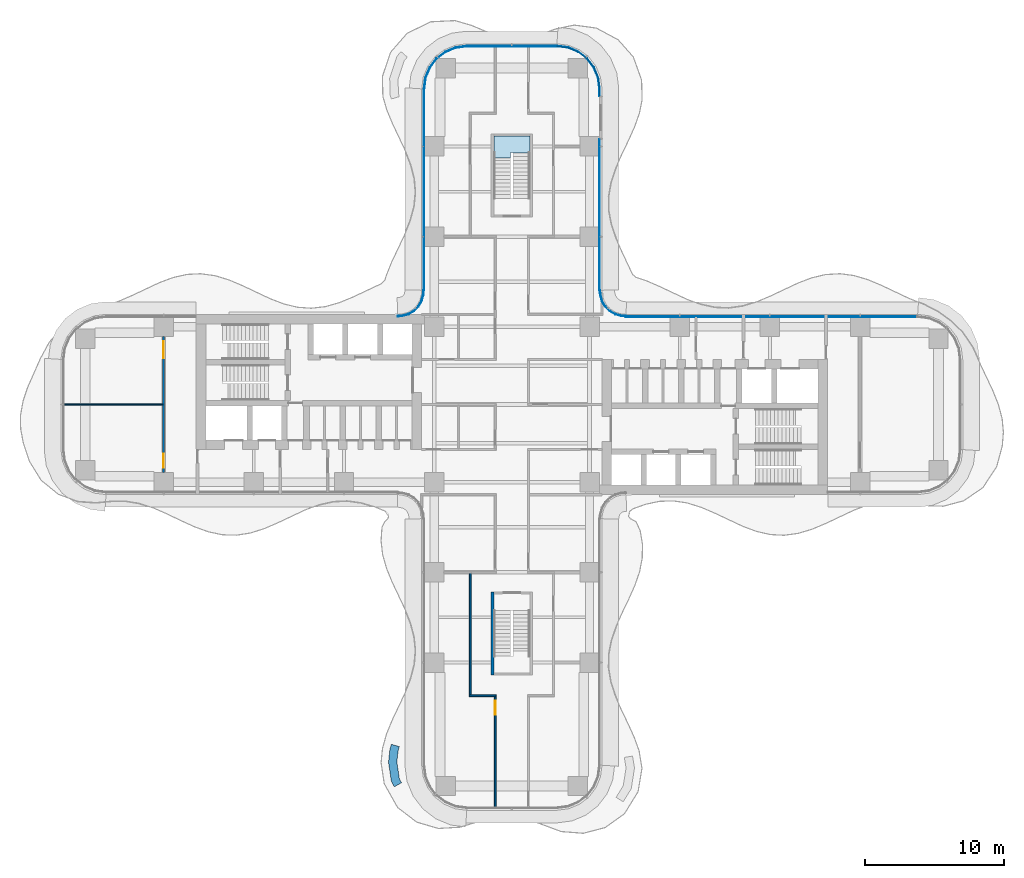
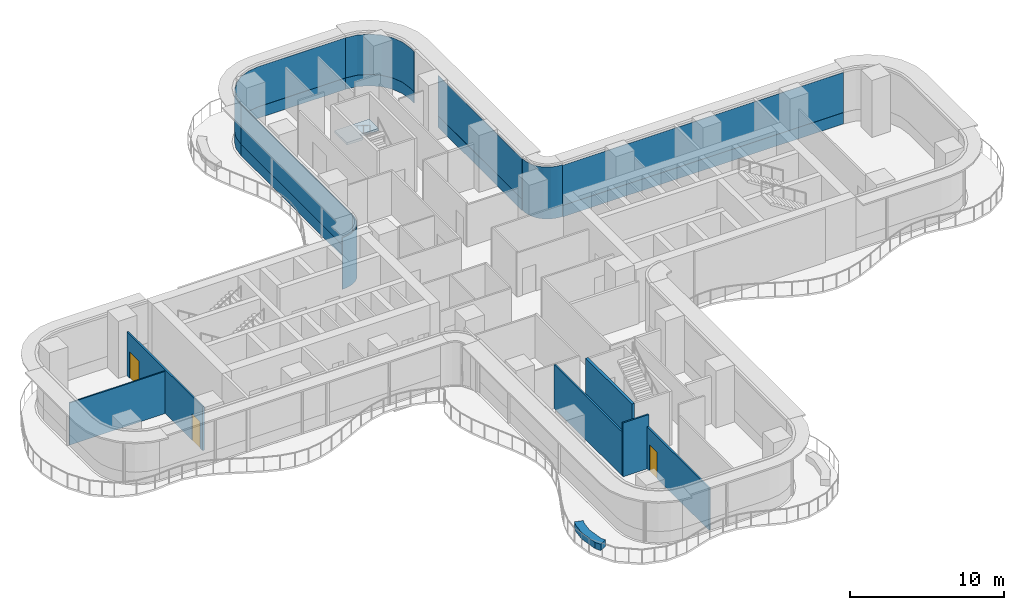
# One storey, part 16 of 23: 12 plates, 7 walls, 3 doors, 1 slab, 3 openings, 8 elements without a shape of their own.
"""IFC4 building model written with IfcOpenShell, lengths in metres."""

import ifcopenshell
import ifcopenshell.guid

model = None  # the IFC model being written
_history = None  # IfcOwnerHistory: only IFC2X3 demands one
_inside = {}  # id of a spatial element -> (the spatial element, [elements in it])
_under = {}  # id of a project, library or spatial element -> (it, [spatial elements below it])
_declared = {}  # id of a project -> (the project, [libraries it declares])
_typed = {}  # id of a type object -> (the type object, [elements of that type])
_made_of = {}  # id of a material, layer set ... -> (it, [elements and type objects made of it])


def new_model(schema):
    """Start an empty IFC model of exactly this schema.

    Asked for "IFC4X3", IfcOpenShell would pick the latest addendum, in which some entities
    have other attributes; the version numbers below select the first issue.
    IFC2X3 requires an IfcOwnerHistory on every rooted entity: one is made here for all.
    """
    global model, _history
    if schema == "IFC4X3":
        model = ifcopenshell.file(schema_version=(4, 3, 0, 0))
    else:
        model = ifcopenshell.file(schema=schema)
    _inside.clear()
    _under.clear()
    _declared.clear()
    _typed.clear()
    _made_of.clear()
    _history = None
    if model.schema == "IFC2X3":
        org = make("IfcOrganization", Name="unknown")
        user = make(
            "IfcPersonAndOrganization",
            ThePerson=make("IfcPerson", FamilyName="unknown"),
            TheOrganization=org,
        )
        app = make(
            "IfcApplication",
            ApplicationDeveloper=org,
            Version="unknown",
            ApplicationFullName="unknown",
            ApplicationIdentifier="unknown",
        )
        _history = make(
            "IfcOwnerHistory",
            OwningUser=user,
            OwningApplication=app,
            ChangeAction="ADDED",
            CreationDate=0,
        )
    return model


def make(cls, **values):
    """One entity of the class cls with the attributes given. An attribute that is None is left unset."""
    return model.create_entity(
        cls, **{name: value for name, value in values.items() if value is not None}
    )


def rooted(cls, **values):
    """An entity with a GlobalId (a new one), such as an element, a storey or a relation."""
    return make(cls, GlobalId=ifcopenshell.guid.new(), OwnerHistory=_history, **values)


def si_unit(unit_type, name, prefix=None):
    """IfcSIUnit, for example si_unit("LENGTHUNIT", "METRE", prefix="MILLI")."""
    return make("IfcSIUnit", UnitType=unit_type, Prefix=prefix, Name=name)


def assignment(units):
    """IfcUnitAssignment: the units of a project."""
    return None if units is None else make("IfcUnitAssignment", Units=units)


def point(xyz):
    """IfcCartesianPoint."""
    return None if xyz is None else make("IfcCartesianPoint", Coordinates=xyz)


def direction(xyz):
    """IfcDirection."""
    return None if xyz is None else make("IfcDirection", DirectionRatios=xyz)


def frame(location, z_axis=None, x_axis=None):
    """IfcAxis2Placement3D, a coordinate frame: its origin and axes. An axis left out is left unset."""
    return make(
        "IfcAxis2Placement3D",
        Location=point(location),
        Axis=direction(z_axis),
        RefDirection=direction(x_axis),
    )


def frame_2d(location, x_axis=None):
    """IfcAxis2Placement2D, a coordinate frame in the plane: its origin and x axis."""
    return make(
        "IfcAxis2Placement2D", Location=point(location), RefDirection=direction(x_axis)
    )


def origin():
    """The frame at (0, 0, 0) with its axes left unset."""
    return frame((0.0, 0.0, 0.0))


def place(relative_to, where):
    """IfcLocalPlacement: puts the frame where relative to a parent placement (None: the world)."""
    return make(
        "IfcLocalPlacement", PlacementRelTo=relative_to, RelativePlacement=where
    )


def context(
    kind, dimensions, precision=None, world=None, true_north=None, identifier=None
):
    """IfcGeometricRepresentationContext, for example the 3D "Model" context."""
    return make(
        "IfcGeometricRepresentationContext",
        ContextIdentifier=identifier,
        ContextType=kind,
        CoordinateSpaceDimension=dimensions,
        Precision=precision,
        WorldCoordinateSystem=world,
        TrueNorth=true_north,
    )


def subcontext(parent, identifier, kind, view, scale=None):
    """IfcGeometricRepresentationSubContext, for example "Body" below "Model"."""
    return make(
        "IfcGeometricRepresentationSubContext",
        ContextIdentifier=identifier,
        ContextType=kind,
        ParentContext=parent,
        TargetScale=scale,
        TargetView=view,
    )


def project(units=None, contexts=None):
    """IfcProject with its units and contexts."""
    return rooted(
        "IfcProject",
        Name="project",
        RepresentationContexts=contexts,
        UnitsInContext=assignment(units),
    )


def spatial(cls, under=None, at=None, **own):
    """A site, building, storey or space (cls), placed at a placement, below another one or the project."""
    s = rooted(cls, ObjectPlacement=at, **own)
    if under is not None:
        _under.setdefault(under.id(), (under, []))[1].append(s)
    return s


def polyline(points):
    """IfcPolyline through the points."""
    return make("IfcPolyline", Points=[point(p) for p in points])


def profile(cls, at=None, kind="AREA", **sizes):
    """A parametric profile (cls). Its sizes go by their IFC names, for example OverallWidth=200.0."""
    return make(cls, ProfileType=kind, Position=at, **sizes)


def rectangle(**sizes):
    """IfcRectangleProfileDef."""
    return profile("IfcRectangleProfileDef", **sizes)


def outline(outer, holes=None, kind="AREA"):
    """IfcArbitraryClosedProfileDef: a profile drawn as a closed curve; with holes, ...WithVoids."""
    if holes is None:
        return make("IfcArbitraryClosedProfileDef", ProfileType=kind, OuterCurve=outer)
    return make(
        "IfcArbitraryProfileDefWithVoids",
        ProfileType=kind,
        OuterCurve=outer,
        InnerCurves=holes,
    )


def extrude(swept, where, along, depth):
    """IfcExtrudedAreaSolid: the profile swept, set in the frame where, extruded along a direction by depth."""
    return make(
        "IfcExtrudedAreaSolid",
        SweptArea=swept,
        Position=where,
        ExtrudedDirection=direction(along),
        Depth=depth,
    )


def shape(context_of_items, identifier, shape_type, items):
    """IfcShapeRepresentation: the items that make up one representation, for example the "Body"."""
    return make(
        "IfcShapeRepresentation",
        ContextOfItems=context_of_items,
        RepresentationIdentifier=identifier,
        RepresentationType=shape_type,
        Items=items,
    )


def source(mapping_origin, context_of_items, identifier, shape_type, items):
    """IfcRepresentationMap: a shape defined once, which mapped items show again and again."""
    return make(
        "IfcRepresentationMap",
        MappingOrigin=mapping_origin,
        MappedRepresentation=shape(context_of_items, identifier, shape_type, items),
    )


def transform(
    local_origin,
    x_axis=None,
    y_axis=None,
    z_axis=None,
    scale=None,
    scale2=None,
    scale3=None,
    uniform=True,
):
    """IfcCartesianTransformationOperator3D, or its non-uniform kind. x_axis, y_axis, z_axis: its Axis1, 2, 3."""
    if uniform:
        return make(
            "IfcCartesianTransformationOperator3D",
            Axis1=direction(x_axis),
            Axis2=direction(y_axis),
            LocalOrigin=point(local_origin),
            Scale=scale,
            Axis3=direction(z_axis),
        )
    return make(
        "IfcCartesianTransformationOperator3DnonUniform",
        Axis1=direction(x_axis),
        Axis2=direction(y_axis),
        LocalOrigin=point(local_origin),
        Scale=scale,
        Axis3=direction(z_axis),
        Scale2=scale2,
        Scale3=scale3,
    )


def mapped(mapping_source, mapping_target):
    """IfcMappedItem: shows the shape of a source again, moved by a transform."""
    return make(
        "IfcMappedItem", MappingSource=mapping_source, MappingTarget=mapping_target
    )


def material(Name=None, Category=None):
    """IfcMaterial."""
    return make("IfcMaterial", Name=Name, Category=Category)


def layer(
    of_material, thickness, ventilated=None, Name=None, Category=None, Priority=None
):
    """IfcMaterialLayer: one layer of a wall or slab, of a material (None: an air gap)."""
    return make(
        "IfcMaterialLayer",
        Material=of_material,
        LayerThickness=thickness,
        IsVentilated=ventilated,
        Name=Name,
        Category=Category,
        Priority=Priority,
    )


def layer_set(layers, Name=None):
    """IfcMaterialLayerSet."""
    return make("IfcMaterialLayerSet", MaterialLayers=layers, LayerSetName=Name)


def made_of(thing, what):
    """Note that an element or type object is made of a material, layer set ...; save() writes the relation."""
    if what is not None:
        _made_of.setdefault(what.id(), (what, []))[1].append(thing)
    return thing


def type_object(cls, material=None, **own):
    """A type object (cls), such as IfcWallType, which elements share."""
    return made_of(rooted(cls, **own), material)


def element(
    cls,
    number,
    at=None,
    inside=None,
    cuts=None,
    type_object=None,
    material=None,
    context=None,
    identifier="Body",
    shape_type=None,
    held_by="IfcProductDefinitionShape",
    body=None,
    shapes=None,
    **own,
):
    """One element of the class cls, such as IfcWall. Its Tag is "e" and its number.

    at: its placement. inside: the storey or other place that contains it. cuts: it is an
    opening in that element (IfcRelVoidsElement). A single representation is given by context,
    identifier, shape_type and body (its items); several are given by shapes. held_by: the class
    of the entity that holds the representations. save() writes the other relations.
    """
    e = rooted(cls, Tag="e%d" % number, ObjectPlacement=at, **own)
    if body is not None:
        shapes = [shape(context, identifier, shape_type, body)]
    if shapes is not None:
        e.Representation = make(held_by, Representations=shapes)
    if inside is not None:
        _inside.setdefault(inside.id(), (inside, []))[1].append(e)
    if cuts is not None:
        rooted(
            "IfcRelVoidsElement", RelatingBuildingElement=cuts, RelatedOpeningElement=e
        )
    if type_object is not None:
        _typed.setdefault(type_object.id(), (type_object, []))[1].append(e)
    return made_of(e, material)


def fill(opening, filler):
    """IfcRelFillsElement: the door or window that sits in an opening."""
    return rooted(
        "IfcRelFillsElement",
        RelatingOpeningElement=opening,
        RelatedBuildingElement=filler,
    )


def aggregate(whole, parts):
    """IfcRelAggregates: a whole, such as a stair, and the parts it consists of."""
    return rooted("IfcRelAggregates", RelatingObject=whole, RelatedObjects=parts)


def save(model, path):
    """Write the relations noted so far, then the file.

    IfcRelAggregates (storeys below a building ...), IfcRelContainedInSpatialStructure (elements
    in a storey), IfcRelDefinesByType, IfcRelAssociatesMaterial and IfcRelDeclares: one each for
    every whole, place, type object, material and project.
    """
    for whole, parts in _under.values():
        aggregate(whole, parts)
    for where, things in _inside.values():
        rooted(
            "IfcRelContainedInSpatialStructure",
            RelatedElements=things,
            RelatingStructure=where,
        )
    for kind, things in _typed.values():
        rooted("IfcRelDefinesByType", RelatedObjects=things, RelatingType=kind)
    for what, things in _made_of.values():
        rooted("IfcRelAssociatesMaterial", RelatedObjects=things, RelatingMaterial=what)
    for by, libraries in _declared.values():
        rooted("IfcRelDeclares", RelatingContext=by, RelatedDefinitions=libraries)
    model.write(path)


model = new_model("IFC4")

# Units and contexts
model_context = context("Model", 3, precision=1e-05, world=origin(), true_north=direction((0.0, 1.0)))
body_context = subcontext(model_context, "Body", "Model", "MODEL_VIEW")
ifc_project = project(units=[si_unit("LENGTHUNIT", "METRE"), si_unit("AREAUNIT", "SQUARE_METRE"), si_unit("VOLUMEUNIT", "CUBIC_METRE"), si_unit("PLANEANGLEUNIT", "RADIAN"), si_unit("MASSUNIT", "GRAM", prefix="KILO")], contexts=[model_context])

# Site, building, storey
site_placement = place(None, origin())
site = spatial("IfcSite", under=ifc_project, at=site_placement, CompositionType="ELEMENT")
building_placement = place(site_placement, origin())
building = spatial("IfcBuilding", under=site, at=building_placement, Name="Trellis Farm Tower", CompositionType="ELEMENT")
storey_placement = place(building_placement, frame((0.0, 0.0, 83.5)))
storey = spatial("IfcBuildingStorey", under=building, at=storey_placement, Name="L17", CompositionType="ELEMENT", Elevation=83.5)

# Stair, slab
ifc_material_1 = material(Name="Concrete C50/60", Category="concrete")
stair_type = type_object("IfcStairType", Name="CORE EXIT STAIR 26 RISERS 173 MM", PredefinedType="HALF_TURN_STAIR", material=ifc_material_1)
placement_1 = place(storey_placement, origin())
stair = element("IfcStair", 1, at=placement_1, inside=storey, type_object=stair_type, Name="Exit stair N", PredefinedType="HALF_TURN_STAIR")
ifc_layer_1 = layer(ifc_material_1, 0.18994140625)
ifc_layer_set_1 = layer_set([ifc_layer_1], Name="CORE STAIR LANDING 190 CONCRETE C50/60")
slab_type = type_object("IfcSlabType", Name="CORE STAIR LANDING 190 CONCRETE C50/60", PredefinedType="LANDING", material=ifc_layer_set_1)
shared_shape_1 = source(origin(), body_context, "Body", "SweptSolid", [
    extrude(outline(polyline([(-0.10009765625, 17.753173828125), (-1.300048828125, 17.753173828125), (-1.300048828125, 18.14990234375), (-1.300048828125, 19.35009765625), (1.300048828125, 19.35009765625), (1.300048828125, 18.14990234375), (1.300048828125, 18.139892578125), (0.10009765625, 18.139892578125), (0.10009765625, 18.14990234375), (-0.10009765625, 18.14990234375), (-0.10009765625, 17.753173828125)])), origin(), (0.0, 0.0, 1.0), 0.18994140625),
])
slab_placement = place(storey_placement, frame((0.0, 0.0, 2.06005859375)))
slab = element("IfcSlab", 2, at=slab_placement, type_object=slab_type, Name="STN landing 1", PredefinedType="LANDING", context=body_context, shape_type="MappedRepresentation", body=[
    mapped(shared_shape_1, transform((0.0, 0.0, 0.0))),
])
aggregate(stair, [slab])

# Curtain wall, plates
ifc_material_2 = material(Name="Aluminium and glass curtain wall", Category="aluminium")
ifc_layer_2 = layer(ifc_material_2, 0.18994140625)
ifc_layer_set_2 = layer_set([ifc_layer_2], Name="RIBBON CURTAIN WALL CW1")
curtain_wall_type_1 = type_object("IfcCurtainWallType", Name="RIBBON CURTAIN WALL CW1", PredefinedType="NOTDEFINED", material=ifc_layer_set_2)
curtain_wall_1 = element("IfcCurtainWall", 3, at=placement_1, inside=storey, type_object=curtain_wall_type_1, Name="CW1 007", PredefinedType="NOTDEFINED")
ifc_material_3 = material(Name="Clear insulated glass", Category="glass")
ifc_layer_3 = layer(ifc_material_3, 0.0400390625)
ifc_layer_set_3 = layer_set([ifc_layer_3], Name="CW1 GLASS PANEL 40")
plate_type_1 = type_object("IfcPlateType", Name="CW1 GLASS PANEL 40", PredefinedType="CURTAIN_PANEL", material=ifc_layer_set_3)
shared_shape_2 = source(origin(), body_context, "Body", "SweptSolid", [
    extrude(outline(polyline([(29.240234375, 6.35009765625), (8.2265625, 6.35009765625), (8.22509765625, 6.31005859375), (29.237548828125, 6.31005859375), (29.240234375, 6.35009765625)])), origin(), (0.0, 0.0, 1.0), 3.170166015625),
])
placement_2 = place(storey_placement, frame((0.0, 0.0, 0.89990234375)))
plate_1 = element("IfcPlate", 4, at=placement_2, type_object=plate_type_1, Name="PL1 007", PredefinedType="CURTAIN_PANEL", context=body_context, shape_type="MappedRepresentation", body=[
    mapped(shared_shape_2, transform((0.0, 0.0, 0.0))),
])
ifc_material_4 = material(Name="Sandstone faced insulated panel", Category="masonry")
ifc_layer_4 = layer(ifc_material_4, 0.050048828125)
ifc_layer_set_4 = layer_set([ifc_layer_4], Name="CW1 STONE SPANDREL PANEL 50")
plate_type_2 = type_object("IfcPlateType", Name="CW1 STONE SPANDREL PANEL 50", PredefinedType="CURTAIN_PANEL", material=ifc_layer_set_4)
shared_shape_3 = source(origin(), body_context, "Body", "SweptSolid", [
    extrude(outline(polyline([(29.240234375, 6.35009765625), (8.2265625, 6.35009765625), (8.224853515625, 6.300048828125), (29.23681640625, 6.300048828125), (29.240234375, 6.35009765625)])), origin(), (0.0, 0.0, 1.0), 0.89990234375),
])
plate_2 = element("IfcPlate", 5, at=placement_1, type_object=plate_type_2, Name="PS1 007", PredefinedType="CURTAIN_PANEL", context=body_context, shape_type="MappedRepresentation", body=[
    mapped(shared_shape_3, transform((0.0, 0.0, 0.0))),
])
aggregate(curtain_wall_1, [plate_1, plate_2])

# Curtain wall, plate
ifc_layer_5 = layer(ifc_material_2, 0.166015625)
ifc_layer_set_5 = layer_set([ifc_layer_5], Name="WINTER GARDEN CURTAIN WALL CW3")
curtain_wall_type_2 = type_object("IfcCurtainWallType", Name="WINTER GARDEN CURTAIN WALL CW3", PredefinedType="NOTDEFINED", material=ifc_layer_set_5)
curtain_wall_2 = element("IfcCurtainWall", 6, at=placement_1, inside=storey, type_object=curtain_wall_type_2, Name="CW3 003", PredefinedType="NOTDEFINED")
ifc_layer_6 = layer(ifc_material_3, 0.0458984375)
ifc_layer_set_6 = layer_set([ifc_layer_6], Name="CW3 GLASS PANEL 46")
plate_type_3 = type_object("IfcPlateType", Name="CW3 GLASS PANEL 46", PredefinedType="CURTAIN_PANEL", material=ifc_layer_set_6)
shared_shape_4 = source(origin(), body_context, "Body", "SweptSolid", [
    extrude(outline(polyline([(8.2275390625, 6.3798828125), (8.0078125, 6.394287109375), (7.89208984375, 6.40966796875), (7.462158203125, 6.52490234375), (7.070556640625, 6.7509765625), (6.7509765625, 7.070556640625), (6.52490234375, 7.462158203125), (6.40966796875, 7.89208984375), (6.394287109375, 8.0078125), (6.3798828125, 8.2275390625), (6.333984375, 8.22607421875), (6.3486328125, 8.003173828125), (6.364501953125, 7.883056640625), (6.48193359375, 7.4443359375), (6.714111328125, 7.04248046875), (7.04248046875, 6.714111328125), (7.4443359375, 6.48193359375), (7.883056640625, 6.364501953125), (8.003173828125, 6.3486328125), (8.22607421875, 6.333984375), (8.2275390625, 6.3798828125)])), origin(), (0.0, 0.0, 1.0), 4.10009765625),
])
plate_3 = element("IfcPlate", 7, at=placement_1, type_object=plate_type_3, Name="PL3 003", PredefinedType="CURTAIN_PANEL", context=body_context, shape_type="MappedRepresentation", body=[
    mapped(shared_shape_4, transform((0.0, 0.0, 0.0))),
])
aggregate(curtain_wall_2, [plate_3])

curtain_wall_3 = element("IfcCurtainWall", 8, at=placement_1, inside=storey, type_object=curtain_wall_type_2, Name="CW3 004", PredefinedType="NOTDEFINED")
shared_shape_5 = source(origin(), body_context, "Body", "SweptSolid", [
    extrude(outline(polyline([(-6.3798828125, 8.2275390625), (-6.394287109375, 8.0078125), (-6.40966796875, 7.89208984375), (-6.52490234375, 7.462158203125), (-6.7509765625, 7.070556640625), (-7.070556640625, 6.7509765625), (-7.462158203125, 6.52490234375), (-7.89208984375, 6.40966796875), (-8.0078125, 6.394287109375), (-8.2275390625, 6.3798828125), (-8.22607421875, 6.333984375), (-8.003173828125, 6.3486328125), (-7.883056640625, 6.364501953125), (-7.4443359375, 6.48193359375), (-7.04248046875, 6.714111328125), (-6.714111328125, 7.04248046875), (-6.48193359375, 7.4443359375), (-6.364501953125, 7.883056640625), (-6.3486328125, 8.003173828125), (-6.333984375, 8.22607421875), (-6.3798828125, 8.2275390625)])), origin(), (0.0, 0.0, 1.0), 4.10009765625),
])
plate_4 = element("IfcPlate", 9, at=placement_1, type_object=plate_type_3, Name="PL3 004", PredefinedType="CURTAIN_PANEL", context=body_context, shape_type="MappedRepresentation", body=[
    mapped(shared_shape_5, transform((0.0, 0.0, 0.0))),
])
aggregate(curtain_wall_3, [plate_4])

# Curtain wall, plates
curtain_wall_4 = element("IfcCurtainWall", 10, at=placement_1, inside=storey, type_object=curtain_wall_type_1, Name="CW1 011", PredefinedType="NOTDEFINED")
shared_shape_6 = source(origin(), body_context, "Body", "SweptSolid", [
    extrude(outline(polyline([(-6.35009765625, 22.740234375), (-6.35009765625, 8.2265625), (-6.31005859375, 8.22509765625), (-6.31005859375, 22.737548828125), (-6.35009765625, 22.740234375)])), origin(), (0.0, 0.0, 1.0), 3.170166015625),
])
plate_5 = element("IfcPlate", 11, at=placement_2, type_object=plate_type_1, Name="PL1 011", PredefinedType="CURTAIN_PANEL", context=body_context, shape_type="MappedRepresentation", body=[
    mapped(shared_shape_6, transform((0.0, 0.0, 0.0))),
])
shared_shape_7 = source(origin(), body_context, "Body", "SweptSolid", [
    extrude(outline(polyline([(-6.35009765625, 22.740234375), (-6.35009765625, 8.2265625), (-6.300048828125, 8.224853515625), (-6.300048828125, 22.73681640625), (-6.35009765625, 22.740234375)])), origin(), (0.0, 0.0, 1.0), 0.89990234375),
])
plate_6 = element("IfcPlate", 12, at=placement_1, type_object=plate_type_2, Name="PS1 011", PredefinedType="CURTAIN_PANEL", context=body_context, shape_type="MappedRepresentation", body=[
    mapped(shared_shape_7, transform((0.0, 0.0, 0.0))),
])
aggregate(curtain_wall_4, [plate_5, plate_6])

curtain_wall_5 = element("IfcCurtainWall", 13, at=placement_1, inside=storey, type_object=curtain_wall_type_1, Name="CW1 010", PredefinedType="NOTDEFINED")
shared_shape_8 = source(origin(), body_context, "Body", "SweptSolid", [
    extrude(outline(polyline([(3.240234375, 25.85009765625), (-3.240234375, 25.85009765625), (-4.052001953125, 25.7431640625), (-4.79931640625, 25.43359375), (-5.441162109375, 24.941162109375), (-5.93359375, 24.29931640625), (-6.2431640625, 23.552001953125), (-6.35009765625, 22.740234375), (-6.31005859375, 22.737548828125), (-6.2041015625, 23.54150390625), (-5.898681640625, 24.279296875), (-5.41259765625, 24.91259765625), (-4.779296875, 25.398681640625), (-4.04150390625, 25.7041015625), (-3.237548828125, 25.81005859375), (3.237548828125, 25.81005859375), (3.240234375, 25.85009765625)])), origin(), (0.0, 0.0, 1.0), 3.170166015625),
])
plate_7 = element("IfcPlate", 14, at=placement_2, type_object=plate_type_1, Name="PL1 010", PredefinedType="CURTAIN_PANEL", context=body_context, shape_type="MappedRepresentation", body=[
    mapped(shared_shape_8, transform((0.0, 0.0, 0.0))),
])
shared_shape_9 = source(origin(), body_context, "Body", "SweptSolid", [
    extrude(outline(polyline([(3.240234375, 25.85009765625), (-3.240234375, 25.85009765625), (-4.052001953125, 25.7431640625), (-4.79931640625, 25.43359375), (-5.441162109375, 24.941162109375), (-5.93359375, 24.29931640625), (-6.2431640625, 23.552001953125), (-6.35009765625, 22.740234375), (-6.300048828125, 22.73681640625), (-6.1943359375, 23.5390625), (-5.889892578125, 24.274169921875), (-5.405517578125, 24.905517578125), (-4.774169921875, 25.389892578125), (-4.0390625, 25.6943359375), (-3.23681640625, 25.800048828125), (3.23681640625, 25.800048828125), (3.240234375, 25.85009765625)])), origin(), (0.0, 0.0, 1.0), 0.89990234375),
])
plate_8 = element("IfcPlate", 15, at=placement_1, type_object=plate_type_2, Name="PS1 010", PredefinedType="CURTAIN_PANEL", context=body_context, shape_type="MappedRepresentation", body=[
    mapped(shared_shape_9, transform((0.0, 0.0, 0.0))),
])
aggregate(curtain_wall_5, [plate_7, plate_8])

curtain_wall_6 = element("IfcCurtainWall", 16, at=placement_1, inside=storey, type_object=curtain_wall_type_1, Name="CW1 008", PredefinedType="NOTDEFINED")
shared_shape_10 = source(origin(), body_context, "Body", "SweptSolid", [
    extrude(outline(polyline([(6.35009765625, 8.2265625), (6.35009765625, 19.114990234375), (6.31005859375, 19.114990234375), (6.31005859375, 8.22509765625), (6.35009765625, 8.2265625)])), origin(), (0.0, 0.0, 1.0), 3.170166015625),
])
plate_9 = element("IfcPlate", 17, at=placement_2, type_object=plate_type_1, Name="PL1 008", PredefinedType="CURTAIN_PANEL", context=body_context, shape_type="MappedRepresentation", body=[
    mapped(shared_shape_10, transform((0.0, 0.0, 0.0))),
])
shared_shape_11 = source(origin(), body_context, "Body", "SweptSolid", [
    extrude(outline(polyline([(6.35009765625, 8.2265625), (6.35009765625, 19.114990234375), (6.300048828125, 19.114990234375), (6.300048828125, 8.224853515625), (6.35009765625, 8.2265625)])), origin(), (0.0, 0.0, 1.0), 0.89990234375),
])
plate_10 = element("IfcPlate", 18, at=placement_1, type_object=plate_type_2, Name="PS1 008", PredefinedType="CURTAIN_PANEL", context=body_context, shape_type="MappedRepresentation", body=[
    mapped(shared_shape_11, transform((0.0, 0.0, 0.0))),
])
aggregate(curtain_wall_6, [plate_9, plate_10])

curtain_wall_7 = element("IfcCurtainWall", 19, at=placement_1, inside=storey, type_object=curtain_wall_type_1, Name="CW1 009", PredefinedType="NOTDEFINED")
shared_shape_12 = source(origin(), body_context, "Body", "SweptSolid", [
    extrude(outline(polyline([(6.35009765625, 22.235107421875), (6.35009765625, 22.740234375), (6.2431640625, 23.552001953125), (5.93359375, 24.29931640625), (5.441162109375, 24.941162109375), (4.79931640625, 25.43359375), (4.052001953125, 25.7431640625), (3.240234375, 25.85009765625), (3.237548828125, 25.81005859375), (4.04150390625, 25.7041015625), (4.779296875, 25.398681640625), (5.41259765625, 24.91259765625), (5.898681640625, 24.279296875), (6.2041015625, 23.54150390625), (6.31005859375, 22.737548828125), (6.31005859375, 22.235107421875), (6.35009765625, 22.235107421875)])), origin(), (0.0, 0.0, 1.0), 3.170166015625),
])
plate_11 = element("IfcPlate", 20, at=placement_2, type_object=plate_type_1, Name="PL1 009", PredefinedType="CURTAIN_PANEL", context=body_context, shape_type="MappedRepresentation", body=[
    mapped(shared_shape_12, transform((0.0, 0.0, 0.0))),
])
shared_shape_13 = source(origin(), body_context, "Body", "SweptSolid", [
    extrude(outline(polyline([(6.35009765625, 22.235107421875), (6.35009765625, 22.740234375), (6.2431640625, 23.552001953125), (5.93359375, 24.29931640625), (5.441162109375, 24.941162109375), (4.79931640625, 25.43359375), (4.052001953125, 25.7431640625), (3.240234375, 25.85009765625), (3.23681640625, 25.800048828125), (4.0390625, 25.6943359375), (4.774169921875, 25.389892578125), (5.405517578125, 24.905517578125), (5.889892578125, 24.274169921875), (6.1943359375, 23.5390625), (6.300048828125, 22.73681640625), (6.300048828125, 22.235107421875), (6.35009765625, 22.235107421875)])), origin(), (0.0, 0.0, 1.0), 0.89990234375),
])
plate_12 = element("IfcPlate", 21, at=placement_1, type_object=plate_type_2, Name="PS1 009", PredefinedType="CURTAIN_PANEL", context=body_context, shape_type="MappedRepresentation", body=[
    mapped(shared_shape_13, transform((0.0, 0.0, 0.0))),
])
aggregate(curtain_wall_7, [plate_11, plate_12])

# Walls
ifc_material_5 = material(Name="Sandstone faced masonry planter", Category="masonry")
ifc_layer_7 = layer(ifc_material_5, 0.60009765625)
ifc_layer_set_7 = layer_set([ifc_layer_7], Name="PLANTER BED 600")
wall_type_1 = type_object("IfcWallType", Name="PLANTER BED 600", PredefinedType="USERDEFINED", material=ifc_layer_set_7)
element("IfcWall", 22, at=placement_1, inside=storey, type_object=wall_type_1, Name="PLANTER bed", ObjectType="PLANTER", PredefinedType="USERDEFINED", context=body_context, shape_type="SweptSolid", body=[
    extrude(outline(polyline([(-8.89111328125, -25.78564453125), (-8.79443359375, -24.8671875), (-8.688720703125, -24.4921875), (-8.111083984375, -24.65478515625), (-8.202880859375, -24.980712890625), (-8.286376953125, -25.772705078125), (-8.10693359375, -26.976806640625), (-7.947509765625, -27.264892578125), (-8.47265625, -27.555419921875), (-8.6845703125, -27.172607421875), (-8.89111328125, -25.78564453125)])), origin(), (0.0, 0.0, 1.0), 0.5),
])
ifc_material_6 = material(Name="Concrete C80/95", Category="concrete")
ifc_layer_8 = layer(ifc_material_6, 0.199951171875)
ifc_layer_set_8 = layer_set([ifc_layer_8], Name="CORE STAIR ENCLOSURE WALL 200 CONCRETE C80/95")
wall_type_2 = type_object("IfcWallType", Name="CORE STAIR ENCLOSURE WALL 200 CONCRETE C80/95", PredefinedType="SHEAR", material=ifc_layer_set_8)
shared_shape_14 = source(origin(), body_context, "Body", "SweptSolid", [
    extrude(rectangle(XDim=6.0, YDim=0.199951171875, at=frame_2d((3.0, 0.0))), origin(), (0.0, 0.0, 1.0), 4.25),
])
wall_2_placement = place(storey_placement, frame((-1.39990234375, -13.5, 0.0), z_axis=(0.0, 0.0, 1.0), x_axis=(0.0, -1.0, 0.0)))
element("IfcWall", 23, at=wall_2_placement, inside=storey, type_object=wall_type_2, Name="Stair enclosure wall", PredefinedType="SHEAR", context=body_context, shape_type="MappedRepresentation", body=[
    mapped(shared_shape_14, transform((0.0, 0.0, 0.0))),
])

# Wall, openings, doors
ifc_material_7 = material(Name="Plasterboard on steel studs, mineral wool", Category="steel")
ifc_layer_9 = layer(ifc_material_7, 0.125)
ifc_layer_set_9 = layer_set([ifc_layer_9], Name="PARTITION 125 STUD EI 60")
wall_type_3 = type_object("IfcWallType", Name="PARTITION 125 STUD EI 60", PredefinedType="PARTITIONING", material=ifc_layer_set_9)
shared_shape_15 = source(origin(), body_context, "Body", "SweptSolid", [
    extrude(rectangle(XDim=9.7998046875, YDim=0.125, at=frame_2d((4.89990234375, 0.0))), origin(), (0.0, 0.0, 1.0), 3.4677734375),
])
wall_3_placement = place(storey_placement, frame((-25.10009765625, -4.89990234375, 0.0), z_axis=(0.0, 0.0, 1.0), x_axis=(0.0, 1.0, 0.0)))
wall_3 = element("IfcWall", 24, at=wall_3_placement, inside=storey, type_object=wall_type_3, Name="Partition PW1", PredefinedType="PARTITIONING", context=body_context, shape_type="MappedRepresentation", body=[
    mapped(shared_shape_15, transform((0.0, 0.0, 0.0))),
])
shared_shape_16 = source(origin(), body_context, "Body", "SweptSolid", [
    extrude(rectangle(XDim=1.0, YDim=2.10009765625, at=frame_2d((0.5, 1.050048828125))), frame((0.0, 0.072509765625, 0.0), z_axis=(0.0, -1.0, 0.0), x_axis=(1.0, 0.0, 0.0)), (0.0, 0.0, 1.0), 0.14501953125),
])
opening_1_placement = place(wall_3_placement, frame((0.35009765625, 0.0, 0.0)))
opening_1 = element("IfcOpeningElement", 25, at=opening_1_placement, cuts=wall_3, Name="Opening D103", PredefinedType="OPENING", context=body_context, shape_type="MappedRepresentation", body=[
    mapped(shared_shape_16, transform((0.0, 0.0, 0.0))),
])
shared_shape_17 = source(origin(), body_context, "Body", "SweptSolid", [
    extrude(rectangle(XDim=1.199951171875, YDim=2.10009765625, at=frame_2d((0.60009765625, 1.050048828125))), frame((0.0, 0.072509765625, 0.0), z_axis=(0.0, -1.0, 0.0), x_axis=(1.0, 0.0, 0.0)), (0.0, 0.0, 1.0), 0.14501953125),
])
opening_2_placement = place(wall_3_placement, frame((8.25, 0.0, 0.0)))
opening_2 = element("IfcOpeningElement", 26, at=opening_2_placement, cuts=wall_3, Name="Opening D602", PredefinedType="OPENING", context=body_context, shape_type="MappedRepresentation", body=[
    mapped(shared_shape_17, transform((0.0, 0.0, 0.0))),
])
ifc_material_8 = material(Name="Fire-rated timber door leaf in a hollow metal frame", Category="wood")
door_type_1 = type_object("IfcDoorType", Name="DOOR 1000x2100 FD30S", OperationType="NOTDEFINED", PredefinedType="DOOR", material=ifc_material_8)
shared_shape_18 = source(origin(), body_context, "Body", "SweptSolid", [
    extrude(rectangle(XDim=1.0, YDim=2.10009765625, at=frame_2d((0.5, 1.050048828125))), frame((0.0, 0.02490234375, 0.0), z_axis=(0.0, -1.0, 0.0), x_axis=(1.0, 0.0, 0.0)), (0.0, 0.0, 1.0), 0.050048828125),
])
door_1_placement = place(opening_1_placement, origin())
door_1 = element("IfcDoor", 27, at=door_1_placement, inside=storey, type_object=door_type_1, Name="Door D103", OperationType="SINGLE_SWING_LEFT", OverallHeight=2.10009765625, OverallWidth=1.0, PredefinedType="DOOR", context=body_context, shape_type="MappedRepresentation", body=[
    mapped(shared_shape_18, transform((0.0, 0.0, 0.0))),
])
fill(opening_1, door_1)
door_type_2 = type_object("IfcDoorType", Name="DOOR 1200x2100 FD30S", OperationType="NOTDEFINED", PredefinedType="DOOR", material=ifc_material_8)
shared_shape_19 = source(origin(), body_context, "Body", "SweptSolid", [
    extrude(rectangle(XDim=1.199951171875, YDim=2.10009765625, at=frame_2d((0.60009765625, 1.050048828125))), frame((0.0, 0.02490234375, 0.0), z_axis=(0.0, -1.0, 0.0), x_axis=(1.0, 0.0, 0.0)), (0.0, 0.0, 1.0), 0.050048828125),
])
door_2_placement = place(opening_2_placement, origin())
door_2 = element("IfcDoor", 28, at=door_2_placement, inside=storey, type_object=door_type_2, Name="Door D602", OperationType="SINGLE_SWING_RIGHT", OverallHeight=2.10009765625, OverallWidth=1.199951171875, PredefinedType="DOOR", context=body_context, shape_type="MappedRepresentation", body=[
    mapped(shared_shape_19, transform((0.0, 0.0, 0.0))),
])
fill(opening_2, door_2)

# Wall
ifc_material_9 = material(Name="Plasterboard on steel studs", Category="steel")
ifc_layer_10 = layer(ifc_material_9, 0.10009765625)
ifc_layer_set_10 = layer_set([ifc_layer_10], Name="PARTITION 100 STUD EI 30")
wall_type_4 = type_object("IfcWallType", Name="PARTITION 100 STUD EI 30", PredefinedType="PARTITIONING", material=ifc_layer_set_10)
shared_shape_20 = source(origin(), body_context, "Body", "SweptSolid", [
    extrude(rectangle(XDim=7.137451171875, YDim=0.10009765625, at=frame_2d((3.56884765625, 0.0))), origin(), (0.0, 0.0, 1.0), 3.330078125),
])
wall_4_placement = place(storey_placement, frame((-32.300048828125, 0.0, 0.0), z_axis=(0.0, 0.0, 1.0), x_axis=(1.0, 0.0, 0.0)))
element("IfcWall", 29, at=wall_4_placement, inside=storey, type_object=wall_type_4, Name="Partition PW2", PredefinedType="PARTITIONING", context=body_context, shape_type="MappedRepresentation", body=[
    mapped(shared_shape_20, transform((0.0, 0.0, 0.0))),
])

# Wall, opening, door
shared_shape_21 = source(origin(), body_context, "Body", "SweptSolid", [
    extrude(rectangle(XDim=7.987548828125, YDim=0.125, at=frame_2d((3.99365234375, 0.0))), origin(), (0.0, 0.0, 1.0), 3.330078125),
])
wall_5_placement = place(storey_placement, frame((-1.199951171875, -21.0625, 0.0), z_axis=(0.0, 0.0, 1.0), x_axis=(0.0, -1.0, 0.0)))
wall_5 = element("IfcWall", 30, at=wall_5_placement, inside=storey, type_object=wall_type_3, Name="Partition PW1", PredefinedType="PARTITIONING", context=body_context, shape_type="MappedRepresentation", body=[
    mapped(shared_shape_21, transform((0.0, 0.0, 0.0))),
])
opening_3_placement = place(wall_5_placement, frame((0.28759765625, 0.0, 0.0)))
opening_3 = element("IfcOpeningElement", 31, at=opening_3_placement, cuts=wall_5, Name="Opening D102", PredefinedType="OPENING", context=body_context, shape_type="MappedRepresentation", body=[
    mapped(shared_shape_16, transform((0.0, 0.0, 0.0))),
])
door_3_placement = place(opening_3_placement, origin())
door_3 = element("IfcDoor", 32, at=door_3_placement, inside=storey, type_object=door_type_1, Name="Door D102", OperationType="SINGLE_SWING_LEFT", OverallHeight=2.10009765625, OverallWidth=1.0, PredefinedType="DOOR", context=body_context, shape_type="MappedRepresentation", body=[
    mapped(shared_shape_18, transform((0.0, 0.0, 0.0))),
])
fill(opening_3, door_3)

# Walls
shared_shape_22 = source(origin(), body_context, "Body", "SweptSolid", [
    extrude(rectangle(XDim=1.925048828125, YDim=0.125, at=frame_2d((0.96240234375, 0.0))), origin(), (0.0, 0.0, 1.0), 4.25),
])
wall_6_placement = place(storey_placement, frame((-1.137451171875, -21.0, 0.0), z_axis=(0.0, 0.0, 1.0), x_axis=(-1.0, 0.0, 0.0)))
element("IfcWall", 33, at=wall_6_placement, inside=storey, type_object=wall_type_3, Name="Partition PW1", PredefinedType="PARTITIONING", context=body_context, shape_type="MappedRepresentation", body=[
    mapped(shared_shape_22, transform((0.0, 0.0, 0.0))),
])
shared_shape_23 = source(origin(), body_context, "Body", "SweptSolid", [
    extrude(rectangle(XDim=8.78759765625, YDim=0.125, at=frame_2d((4.393798828125, 0.0))), origin(), (0.0, 0.0, 1.0), 3.4677734375),
])
wall_7_placement = place(storey_placement, frame((-3.0, -20.9375, 0.0), z_axis=(0.0, 0.0, 1.0), x_axis=(0.0, 1.0, 0.0)))
element("IfcWall", 34, at=wall_7_placement, inside=storey, type_object=wall_type_3, Name="Partition PW1", PredefinedType="PARTITIONING", context=body_context, shape_type="MappedRepresentation", body=[
    mapped(shared_shape_23, transform((0.0, 0.0, 0.0))),
])

save(model, "model.ifc")
